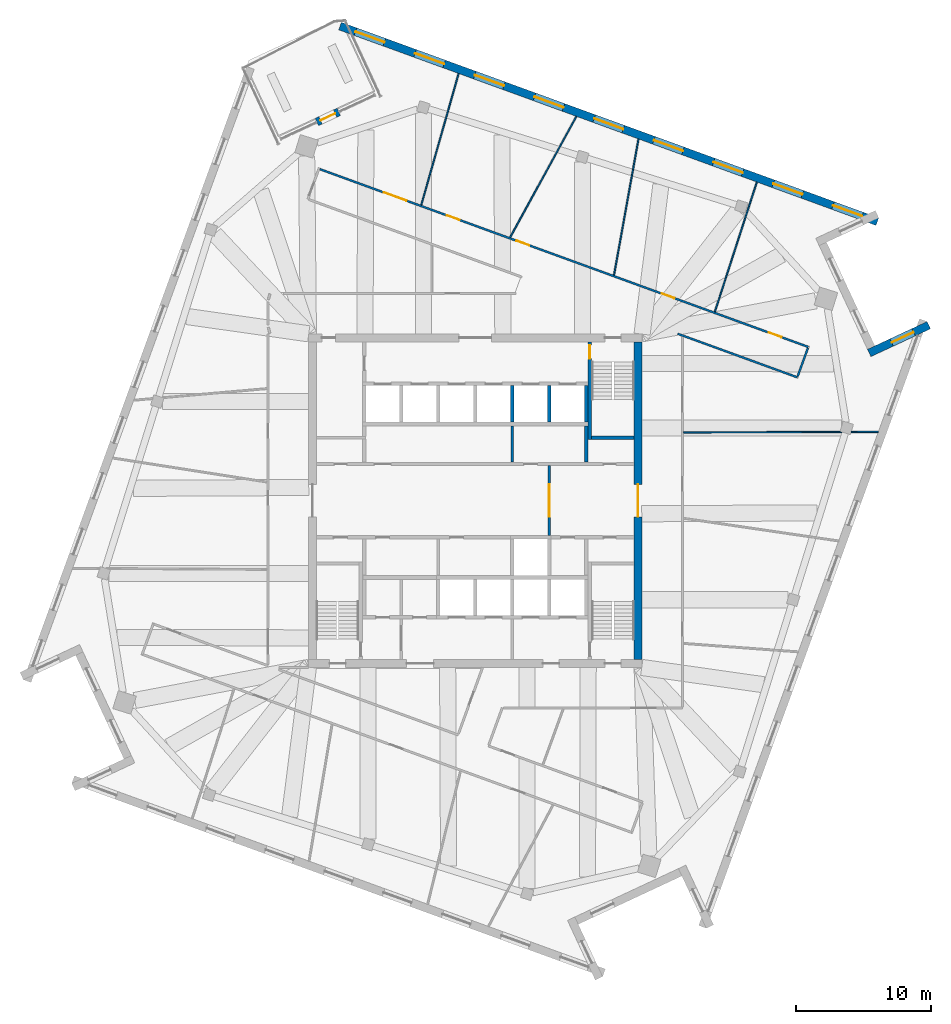
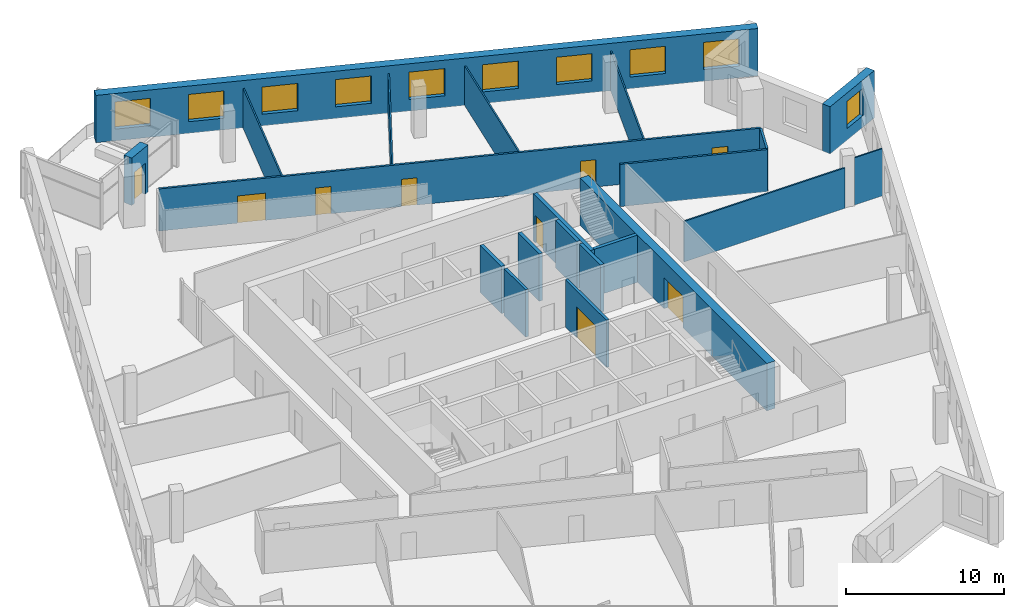
# One storey, part 10 of 13: 21 walls, 10 windows, 9 doors, 19 openings.
"""IFC4 building model written with IfcOpenShell, lengths in metres."""

from ifc_helpers import new_model, si_unit, direction, frame, frame_2d, origin, place, context, subcontext, project, spatial, rectangle, extrude, material, layer, layer_set, type_object, element, fill, save


model = new_model("IFC4")

# Units and contexts
model_context = context("Model", 3, precision=1e-05, world=origin(), true_north=direction((0.0, 1.0)))
body_context = subcontext(model_context, "Body", "Model", "MODEL_VIEW")
ifc_project = project(units=[si_unit("LENGTHUNIT", "METRE"), si_unit("AREAUNIT", "SQUARE_METRE"), si_unit("VOLUMEUNIT", "CUBIC_METRE"), si_unit("PLANEANGLEUNIT", "RADIAN"), si_unit("MASSUNIT", "GRAM", prefix="KILO")], contexts=[model_context])

# Site, building, storey
site_placement = place(None, origin())
site = spatial("IfcSite", under=ifc_project, at=site_placement, CompositionType="ELEMENT")
building_placement = place(site_placement, origin())
building = spatial("IfcBuilding", under=site, at=building_placement, Name="Dilmun Exchange Tower", CompositionType="ELEMENT")
storey_placement = place(building_placement, frame((0.0, 0.0, 312.5)))
storey = spatial("IfcBuildingStorey", under=building, at=storey_placement, Name="L74", CompositionType="ELEMENT", Elevation=312.5)

# Wall, opening, door
ifc_material_1 = material(Name="Concrete C40/50", Category="concrete")
ifc_layer_1 = layer(ifc_material_1, 0.199951171875)
ifc_layer_set_1 = layer_set([ifc_layer_1], Name="Concrete C40/50")
wall_type_1 = type_object("IfcWallType", Name="Core partition wall 200", PredefinedType="PARTITIONING", material=ifc_layer_set_1)
wall_1_placement = place(storey_placement, frame((5.5, -2.594970703125, 0.0), z_axis=(0.0, 0.0, 1.0), x_axis=(0.0, 1.0, 0.0)))
wall_1 = element("IfcWall", 1, at=wall_1_placement, inside=storey, type_object=wall_type_1, Name="L74 core partition wall 12", PredefinedType="PARTITIONING", context=body_context, shape_type="SweptSolid", body=[
    extrude(rectangle(XDim=5.18994140625, YDim=0.199951171875, at=frame_2d((2.594970703125, 0.0))), origin(), (0.0, 0.0, 1.0), 3.64990234375),
])
opening_1_placement = place(wall_1_placement, frame((1.39501953125, 0.0, 0.0)))
opening_1 = element("IfcOpeningElement", 2, at=opening_1_placement, cuts=wall_1, Name="Opening CD1", PredefinedType="OPENING", context=body_context, shape_type="SweptSolid", body=[
    extrude(rectangle(XDim=2.39990234375, YDim=2.39990234375, at=frame_2d((1.199951171875, 1.199951171875))), frame((0.0, 0.10986328125, 0.0), z_axis=(0.0, -1.0, 0.0), x_axis=(1.0, 0.0, 0.0)), (0.0, 0.0, 1.0), 0.219970703125),
])
ifc_material_2 = material(Name="Fire-rated steel door set", Category="steel")
door_type_1 = type_object("IfcDoorType", Name="Core lobby door 2400x2400", OperationType="DOUBLE_DOOR_DOUBLE_SWING", PredefinedType="DOOR", material=ifc_material_2)
door_1_placement = place(opening_1_placement, origin())
door_1 = element("IfcDoor", 3, at=door_1_placement, inside=storey, type_object=door_type_1, Name="L74 door Lift lobby east", OperationType="SINGLE_SWING_LEFT", OverallHeight=2.39990234375, OverallWidth=2.39990234375, PredefinedType="DOOR", context=body_context, shape_type="SweptSolid", body=[
    extrude(rectangle(XDim=2.39990234375, YDim=2.39990234375, at=frame_2d((1.199951171875, 1.199951171875))), frame((0.0, 0.02490234375, 0.0), z_axis=(0.0, -1.0, 0.0), x_axis=(1.0, 0.0, 0.0)), (0.0, 0.0, 1.0), 0.050048828125),
])
fill(opening_1, door_1)

# Walls
wall_2_placement = place(storey_placement, frame((2.75, 2.85498046875, 0.0), z_axis=(0.0, 0.0, 1.0), x_axis=(0.0, 1.0, 0.0)))
element("IfcWall", 4, at=wall_2_placement, inside=storey, type_object=wall_type_1, Name="L74 core partition wall 15", PredefinedType="PARTITIONING", context=body_context, shape_type="SweptSolid", body=[
    extrude(rectangle(XDim=2.68994140625, YDim=0.199951171875, at=frame_2d((1.344970703125, 0.0))), origin(), (0.0, 0.0, 1.0), 3.64990234375),
])
ifc_layer_2 = layer(ifc_material_1, 0.25)
ifc_layer_set_2 = layer_set([ifc_layer_2], Name="Concrete C40/50")
wall_type_2 = type_object("IfcWallType", Name="Core partition wall 250", PredefinedType="PARTITIONING", material=ifc_layer_set_2)
wall_3_placement = place(storey_placement, frame((8.25, 2.85498046875, 0.0), z_axis=(0.0, 0.0, 1.0), x_axis=(0.0, 1.0, 0.0)))
element("IfcWall", 5, at=wall_3_placement, inside=storey, type_object=wall_type_2, Name="L74 core partition wall 16", PredefinedType="PARTITIONING", context=body_context, shape_type="SweptSolid", body=[
    extrude(rectangle(XDim=2.68994140625, YDim=0.25, at=frame_2d((1.344970703125, 0.0))), origin(), (0.0, 0.0, 1.0), 3.64990234375),
])

# Wall, opening, door
ifc_material_3 = material(Name="Concrete C50/60", Category="concrete")
ifc_layer_3 = layer(ifc_material_3, 0.60009765625)
ifc_layer_set_3 = layer_set([ifc_layer_3], Name="Concrete C50/60")
wall_type_3 = type_object("IfcWallType", Name="Core shear wall 600 Concrete C50/60", PredefinedType="SHEAR", material=ifc_layer_set_3)
wall_4_placement = place(storey_placement, frame((12.10009765625, -11.800048828125, 0.0), z_axis=(0.0, 0.0, 1.0), x_axis=(0.0, 1.0, 0.0)))
wall_4 = element("IfcWall", 6, at=wall_4_placement, inside=storey, type_object=wall_type_3, Name="L74 core shear wall E", PredefinedType="SHEAR", context=body_context, shape_type="SweptSolid", body=[
    extrude(rectangle(XDim=23.60009765625, YDim=0.60009765625, at=frame_2d((11.800048828125, 0.0))), origin(), (0.0, 0.0, 1.0), 3.64990234375),
])
opening_2_placement = place(wall_4_placement, frame((10.60009765625, 0.0, 0.0)))
opening_2 = element("IfcOpeningElement", 7, at=opening_2_placement, cuts=wall_4, Name="Opening CD1", PredefinedType="OPENING", context=body_context, shape_type="SweptSolid", body=[
    extrude(rectangle(XDim=2.39990234375, YDim=2.39990234375, at=frame_2d((1.199951171875, 1.199951171875))), frame((0.0, 0.31005859375, 0.0), z_axis=(0.0, -1.0, 0.0), x_axis=(1.0, 0.0, 0.0)), (0.0, 0.0, 1.0), 0.6201171875),
])
door_2_placement = place(opening_2_placement, origin())
door_2 = element("IfcDoor", 8, at=door_2_placement, inside=storey, type_object=door_type_1, Name="L74 door Central lift lobby", OperationType="SINGLE_SWING_LEFT", OverallHeight=2.39990234375, OverallWidth=2.39990234375, PredefinedType="DOOR", context=body_context, shape_type="SweptSolid", body=[
    extrude(rectangle(XDim=2.39990234375, YDim=2.39990234375, at=frame_2d((1.199951171875, 1.199951171875))), frame((0.0, 0.02490234375, 0.0), z_axis=(0.0, -1.0, 0.0), x_axis=(1.0, 0.0, 0.0)), (0.0, 0.0, 1.0), 0.050048828125),
])
fill(opening_2, door_2)

# Wall, openings, doors
ifc_material_4 = material(Name="Corridor wall 150")
ifc_layer_4 = layer(ifc_material_4, 0.14990234375)
ifc_layer_set_4 = layer_set([ifc_layer_4], Name="Corridor wall 150")
wall_type_4 = type_object("IfcWallType", Name="Corridor wall 150", PredefinedType="PARTITIONING", material=ifc_layer_set_4)
wall_5_placement = place(storey_placement, frame((-11.548583984375, 24.63134765625, 0.0), z_axis=(0.0, 0.0, 1.0), x_axis=(0.939685979246, -0.342038390256, 0.0)))
wall_5 = element("IfcWall", 9, at=wall_5_placement, inside=storey, type_object=wall_type_4, Name="Corridor wall", PredefinedType="PARTITIONING", context=body_context, shape_type="SweptSolid", body=[
    extrude(rectangle(XDim=38.62841796875, YDim=0.14990234375, at=frame_2d((19.314208984375, 0.0))), origin(), (0.0, 0.0, 1.0), 3.25),
])
opening_3_placement = place(wall_5_placement, frame((5.050048828125, 0.0, 0.0)))
opening_3 = element("IfcOpeningElement", 10, at=opening_3_placement, cuts=wall_5, Name="Opening TF72-D06", PredefinedType="OPENING", context=body_context, shape_type="SweptSolid", body=[
    extrude(rectangle(XDim=1.800048828125, YDim=2.10009765625, at=frame_2d((0.89990234375, 1.050048828125))), frame((0.0, 0.0849609375, 0.0), z_axis=(0.0, -1.0, 0.0), x_axis=(1.0, 0.0, 0.0)), (0.0, 0.0, 1.0), 0.169921875),
])
opening_4_placement = place(wall_5_placement, frame((10.0458984375, 0.0, 0.0)))
opening_4 = element("IfcOpeningElement", 11, at=opening_4_placement, cuts=wall_5, Name="Opening TF72-D12", PredefinedType="OPENING", context=body_context, shape_type="SweptSolid", body=[
    extrude(rectangle(XDim=1.0, YDim=2.10009765625, at=frame_2d((0.5, 1.050048828125))), frame((0.0, 0.0849609375, 0.0), z_axis=(0.0, -1.0, 0.0), x_axis=(1.0, 0.0, 0.0)), (0.0, 0.0, 1.0), 0.169921875),
])
opening_5_placement = place(wall_5_placement, frame((15.560791015625, 0.0, 0.0)))
opening_5 = element("IfcOpeningElement", 12, at=opening_5_placement, cuts=wall_5, Name="Opening TF72-D14", PredefinedType="OPENING", context=body_context, shape_type="SweptSolid", body=[
    extrude(rectangle(XDim=1.0, YDim=2.10009765625, at=frame_2d((0.5, 1.050048828125))), frame((0.0, 0.0849609375, 0.0), z_axis=(0.0, -1.0, 0.0), x_axis=(1.0, 0.0, 0.0)), (0.0, 0.0, 1.0), 0.169921875),
])
opening_6_placement = place(wall_5_placement, frame((27.0419921875, 0.0, 0.0)))
opening_6 = element("IfcOpeningElement", 13, at=opening_6_placement, cuts=wall_5, Name="Opening TF72-D17", PredefinedType="OPENING", context=body_context, shape_type="SweptSolid", body=[
    extrude(rectangle(XDim=1.0, YDim=2.10009765625, at=frame_2d((0.5, 1.050048828125))), frame((0.0, 0.0849609375, 0.0), z_axis=(0.0, -1.0, 0.0), x_axis=(1.0, 0.0, 0.0)), (0.0, 0.0, 1.0), 0.169921875),
])
opening_7_placement = place(wall_5_placement, frame((35.506103515625, 0.0, 0.0)))
opening_7 = element("IfcOpeningElement", 14, at=opening_7_placement, cuts=wall_5, Name="Opening TF72-D21", PredefinedType="OPENING", context=body_context, shape_type="SweptSolid", body=[
    extrude(rectangle(XDim=1.0, YDim=2.10009765625, at=frame_2d((0.5, 1.050048828125))), frame((0.0, 0.0849609375, 0.0), z_axis=(0.0, -1.0, 0.0), x_axis=(1.0, 0.0, 0.0)), (0.0, 0.0, 1.0), 0.169921875),
])
ifc_material_5 = material(Name="Fire door 1000 x 2100")
door_type_2 = type_object("IfcDoorType", Name="Fire door 1000 x 2100", OperationType="NOTDEFINED", PredefinedType="DOOR", material=ifc_material_5)
door_3_placement = place(opening_4_placement, origin())
door_3 = element("IfcDoor", 15, at=door_3_placement, inside=storey, type_object=door_type_2, Name="Door TF72-D12", OperationType="SINGLE_SWING_LEFT", OverallHeight=2.10009765625, OverallWidth=1.0, PredefinedType="DOOR", context=body_context, shape_type="SweptSolid", body=[
    extrude(rectangle(XDim=1.0, YDim=2.10009765625, at=frame_2d((0.5, 1.050048828125))), frame((0.0, 0.02490234375, 0.0), z_axis=(0.0, -1.0, 0.0), x_axis=(1.0, 0.0, 0.0)), (0.0, 0.0, 1.0), 0.050048828125),
])
fill(opening_4, door_3)
door_4_placement = place(opening_5_placement, origin())
door_4 = element("IfcDoor", 16, at=door_4_placement, inside=storey, type_object=door_type_2, Name="Door TF72-D14", OperationType="SINGLE_SWING_RIGHT", OverallHeight=2.10009765625, OverallWidth=1.0, PredefinedType="DOOR", context=body_context, shape_type="SweptSolid", body=[
    extrude(rectangle(XDim=1.0, YDim=2.10009765625, at=frame_2d((0.5, 1.050048828125))), frame((0.0, 0.02490234375, 0.0), z_axis=(0.0, -1.0, 0.0), x_axis=(1.0, 0.0, 0.0)), (0.0, 0.0, 1.0), 0.050048828125),
])
fill(opening_5, door_4)
door_5_placement = place(opening_6_placement, origin())
door_5 = element("IfcDoor", 17, at=door_5_placement, inside=storey, type_object=door_type_2, Name="Door TF72-D17", OperationType="SINGLE_SWING_RIGHT", OverallHeight=2.10009765625, OverallWidth=1.0, PredefinedType="DOOR", context=body_context, shape_type="SweptSolid", body=[
    extrude(rectangle(XDim=1.0, YDim=2.10009765625, at=frame_2d((0.5, 1.050048828125))), frame((0.0, 0.02490234375, 0.0), z_axis=(0.0, -1.0, 0.0), x_axis=(1.0, 0.0, 0.0)), (0.0, 0.0, 1.0), 0.050048828125),
])
fill(opening_6, door_5)
door_6_placement = place(opening_7_placement, origin())
door_6 = element("IfcDoor", 18, at=door_6_placement, inside=storey, type_object=door_type_2, Name="Door TF72-D21", OperationType="SINGLE_SWING_LEFT", OverallHeight=2.10009765625, OverallWidth=1.0, PredefinedType="DOOR", context=body_context, shape_type="SweptSolid", body=[
    extrude(rectangle(XDim=1.0, YDim=2.10009765625, at=frame_2d((0.5, 1.050048828125))), frame((0.0, 0.02490234375, 0.0), z_axis=(0.0, -1.0, 0.0), x_axis=(1.0, 0.0, 0.0)), (0.0, 0.0, 1.0), 0.050048828125),
])
fill(opening_7, door_6)
ifc_material_6 = material(Name="Fire door pair 1800 x 2100")
door_type_3 = type_object("IfcDoorType", Name="Fire door pair 1800 x 2100", OperationType="NOTDEFINED", PredefinedType="DOOR", material=ifc_material_6)
door_7_placement = place(opening_3_placement, origin())
door_7 = element("IfcDoor", 19, at=door_7_placement, inside=storey, type_object=door_type_3, Name="Door TF72-D06", OperationType="DOUBLE_DOOR_SINGLE_SWING", OverallHeight=2.10009765625, OverallWidth=1.800048828125, PredefinedType="DOOR", context=body_context, shape_type="SweptSolid", body=[
    extrude(rectangle(XDim=1.800048828125, YDim=2.10009765625, at=frame_2d((0.89990234375, 1.050048828125))), frame((0.0, 0.02490234375, 0.0), z_axis=(0.0, -1.0, 0.0), x_axis=(1.0, 0.0, 0.0)), (0.0, 0.0, 1.0), 0.050048828125),
])
fill(opening_3, door_7)

# Walls
wall_6_placement = place(storey_placement, frame((15.0400390625, 12.39990234375, 0.0), z_axis=(0.0, 0.0, 1.0), x_axis=(0.939674306664, -0.34207045677, 0.0)))
element("IfcWall", 20, at=wall_6_placement, inside=storey, type_object=wall_type_4, Name="Corridor wall", PredefinedType="PARTITIONING", context=body_context, shape_type="SweptSolid", body=[
    extrude(rectangle(XDim=9.45947265625, YDim=0.14990234375, at=frame_2d((4.729736328125, 0.0))), origin(), (0.0, 0.0, 1.0), 3.25),
])
wall_7_placement = place(storey_placement, frame((23.95458984375, 9.234619140625, 0.0), z_axis=(0.0, 0.0, 1.0), x_axis=(0.342187433401, 0.939631715313, 0.0)))
element("IfcWall", 21, at=wall_7_placement, inside=storey, type_object=wall_type_4, Name="Corridor wall", PredefinedType="PARTITIONING", context=body_context, shape_type="SweptSolid", body=[
    extrude(rectangle(XDim=2.24951171875, YDim=0.14990234375, at=frame_2d((1.124755859375, 0.0))), origin(), (0.0, 0.0, 1.0), 3.25),
])
ifc_layer_5 = layer(ifc_material_1, 0.25)
ifc_layer_set_5 = layer_set([ifc_layer_5], Name="Concrete C40/50")
wall_type_5 = type_object("IfcWallType", Name="Lift shaft wall 250", PredefinedType="SOLIDWALL", material=ifc_layer_set_5)
for number, where, z_axis, x_axis, name in (
    (22, (2.75, 5.85009765625, 0.0), (0.0, 0.0, 1.0), (0.0, 1.0, 0.0), "L74 lift shaft divider N24"),
    (23, (5.5, 5.85009765625, 0.0), (0.0, 0.0, 1.0), (0.0, 1.0, 0.0), "L74 lift shaft divider N25"),
    (24, (8.25, 5.85009765625, 0.0), (0.0, 0.0, 1.0), (0.0, 1.0, 0.0), "L74 lift shaft divider N26"),
):
    element("IfcWall", number, at=place(storey_placement, frame(where, z_axis=z_axis, x_axis=x_axis)), inside=storey, type_object=wall_type_5, Name=name, PredefinedType="SOLIDWALL", context=body_context, shape_type="SweptSolid", body=[
        extrude(rectangle(XDim=2.699951171875, YDim=0.25, at=frame_2d((1.35009765625, 0.0))), origin(), (0.0, 0.0, 1.0), 3.64990234375),
    ])
ifc_material_7 = material(Name="Partition 100")
ifc_layer_6 = layer(ifc_material_7, 0.10009765625)
ifc_layer_set_6 = layer_set([ifc_layer_6], Name="Partition 100")
wall_type_6 = type_object("IfcWallType", Name="Partition 100", PredefinedType="PARTITIONING", material=ifc_layer_set_6)
wall_8_placement = place(storey_placement, frame((-4.010498046875, 21.970703125, 0.0), z_axis=(0.0, 0.0, 1.0), x_axis=(0.273351697038, 0.96191415923, 0.0)))
element("IfcWall", 25, at=wall_8_placement, inside=storey, type_object=wall_type_6, Name="Partition", PredefinedType="PARTITIONING", context=body_context, shape_type="SweptSolid", body=[
    extrude(rectangle(XDim=10.150390625, YDim=0.10009765625, at=frame_2d((5.0751953125, 0.0))), origin(), (0.0, 0.0, 1.0), 3.050048828125),
])
wall_9_placement = place(storey_placement, frame((2.59716796875, 19.5703125, 0.0), z_axis=(0.0, 0.0, 1.0), x_axis=(0.480064743051, 0.877233060526, 0.0)))
element("IfcWall", 26, at=wall_9_placement, inside=storey, type_object=wall_type_6, Name="Partition", PredefinedType="PARTITIONING", context=body_context, shape_type="SweptSolid", body=[
    extrude(rectangle(XDim=10.2373046875, YDim=0.10009765625, at=frame_2d((5.11865234375, 0.0))), origin(), (0.0, 0.0, 1.0), 3.050048828125),
])
wall_10_placement = place(storey_placement, frame((10.31298828125, 16.762451171875, 0.0), z_axis=(0.0, 0.0, 1.0), x_axis=(0.176922718916, 0.984224746454, 0.0)))
element("IfcWall", 27, at=wall_10_placement, inside=storey, type_object=wall_type_6, Name="Partition", PredefinedType="PARTITIONING", context=body_context, shape_type="SweptSolid", body=[
    extrude(rectangle(XDim=10.26953125, YDim=0.10009765625, at=frame_2d((5.134765625, 0.0))), origin(), (0.0, 0.0, 1.0), 3.050048828125),
])
wall_11_placement = place(storey_placement, frame((15.47509765625, 5.069091796875, 0.0), z_axis=(0.0, 0.0, 1.0), x_axis=(0.999996133827, 0.00278070684, 0.0)))
element("IfcWall", 28, at=wall_11_placement, inside=storey, type_object=wall_type_6, Name="Partition", PredefinedType="PARTITIONING", context=body_context, shape_type="SweptSolid", body=[
    extrude(rectangle(XDim=11.764892578125, YDim=0.10009765625, at=frame_2d((5.88232421875, 0.0))), origin(), (0.0, 0.0, 1.0), 3.1298828125),
])
wall_12_placement = place(storey_placement, frame((17.80078125, 14.030029296875, 0.0), z_axis=(0.0, 0.0, 1.0), x_axis=(0.308373882016, 0.951265235826, 0.0)))
element("IfcWall", 29, at=wall_12_placement, inside=storey, type_object=wall_type_6, Name="Partition", PredefinedType="PARTITIONING", context=body_context, shape_type="SweptSolid", body=[
    extrude(rectangle(XDim=10.13232421875, YDim=0.10009765625, at=frame_2d((5.066162109375, 0.0))), origin(), (0.0, 0.0, 1.0), 3.050048828125),
])
wall_13_placement = place(storey_placement, frame((27.932861328125, 5.103515625, 0.0), z_axis=(0.0, 0.0, 1.0), x_axis=(0.999996132662, 0.002781125883, 0.0)))
element("IfcWall", 30, at=wall_13_placement, inside=storey, type_object=wall_type_6, Name="Partition", PredefinedType="PARTITIONING", context=body_context, shape_type="SweptSolid", body=[
    extrude(rectangle(XDim=2.01904296875, YDim=0.10009765625, at=frame_2d((1.009521484375, 0.0))), origin(), (0.0, 0.0, 1.0), 3.64990234375),
])

# Wall, opening, window
ifc_material_8 = material(Name="Precast concrete C50/60", Category="concrete")
ifc_layer_7 = layer(ifc_material_8, 0.60009765625)
ifc_layer_set_7 = layer_set([ifc_layer_7], Name="Precast concrete C50/60")
wall_type_7 = type_object("IfcWallType", Name="Precast stone-clad wall 600", PredefinedType="STANDARD", material=ifc_layer_set_7)
wall_14_placement = place(storey_placement, frame((33.703369140625, 13.036376953125, 0.0), z_axis=(0.0, 0.0, 1.0), x_axis=(-0.906306938878, -0.422620080618, 0.0)))
wall_14 = element("IfcWall", 31, at=wall_14_placement, inside=storey, type_object=wall_type_7, Name="Facade wall L74-12", PredefinedType="STANDARD", context=body_context, shape_type="SweptSolid", body=[
    extrude(rectangle(XDim=4.885498046875, YDim=0.60009765625, at=frame_2d((2.44287109375, 0.0))), origin(), (0.0, 0.0, 1.0), 3.64990234375),
])
opening_8_placement = place(wall_14_placement, frame((1.242919921875, 0.0, 0.89990234375)))
opening_8 = element("IfcOpeningElement", 32, at=opening_8_placement, cuts=wall_14, Name="Opening W180-210", PredefinedType="OPENING", context=body_context, shape_type="SweptSolid", body=[
    extrude(rectangle(XDim=1.800048828125, YDim=2.10009765625, at=frame_2d((0.89990234375, 1.050048828125))), frame((0.0, 0.31005859375, 0.0), z_axis=(0.0, -1.0, 0.0), x_axis=(1.0, 0.0, 0.0)), (0.0, 0.0, 1.0), 0.6201171875),
])
ifc_material_9 = material(Name="Clear low-emissivity glass in aluminium frame", Category="aluminium")
window_type_1 = type_object("IfcWindowType", Name="Punched window 1800 x 2100", PartitioningType="DOUBLE_PANEL_VERTICAL", PredefinedType="WINDOW", material=ifc_material_9)
window_1_placement = place(opening_8_placement, origin())
window_1 = element("IfcWindow", 33, at=window_1_placement, inside=storey, type_object=window_type_1, Name="Window 13.1", OverallHeight=2.10009765625, OverallWidth=1.800048828125, PartitioningType="SINGLE_PANEL", PredefinedType="WINDOW", context=body_context, shape_type="SweptSolid", body=[
    extrude(rectangle(XDim=1.800048828125, YDim=2.10009765625, at=frame_2d((0.89990234375, 1.050048828125))), frame((0.0, 0.030029296875, 0.0), z_axis=(0.0, -1.0, 0.0), x_axis=(1.0, 0.0, 0.0)), (0.0, 0.0, 1.0), 0.06005859375),
])
fill(opening_8, window_1)

# Wall, openings, windows
wall_15_placement = place(storey_placement, frame((29.8818359375, 20.72998046875, 0.0), z_axis=(0.0, 0.0, 1.0), x_axis=(-0.939693396491, 0.342018012087, 0.0)))
wall_15 = element("IfcWall", 34, at=wall_15_placement, inside=storey, type_object=wall_type_7, Name="Facade wall L74-15", PredefinedType="STANDARD", context=body_context, shape_type="SweptSolid", body=[
    extrude(rectangle(XDim=42.48974609375, YDim=0.60009765625, at=frame_2d((21.244873046875, 0.0))), origin(), (0.0, 0.0, 1.0), 3.64990234375),
])
opening_9_placement = place(wall_15_placement, frame((1.21044921875, 0.0, 0.89990234375)))
opening_9 = element("IfcOpeningElement", 35, at=opening_9_placement, cuts=wall_15, Name="Opening W230-210", PredefinedType="OPENING", context=body_context, shape_type="SweptSolid", body=[
    extrude(rectangle(XDim=2.300048828125, YDim=2.10009765625, at=frame_2d((1.14990234375, 1.050048828125))), frame((0.0, 0.31005859375, 0.0), z_axis=(0.0, -1.0, 0.0), x_axis=(1.0, 0.0, 0.0)), (0.0, 0.0, 1.0), 0.6201171875),
])
opening_10_placement = place(wall_15_placement, frame((5.931640625, 0.0, 0.89990234375)))
opening_10 = element("IfcOpeningElement", 36, at=opening_10_placement, cuts=wall_15, Name="Opening W230-210", PredefinedType="OPENING", context=body_context, shape_type="SweptSolid", body=[
    extrude(rectangle(XDim=2.300048828125, YDim=2.10009765625, at=frame_2d((1.14990234375, 1.050048828125))), frame((0.0, 0.31005859375, 0.0), z_axis=(0.0, -1.0, 0.0), x_axis=(1.0, 0.0, 0.0)), (0.0, 0.0, 1.0), 0.6201171875),
])
opening_11_placement = place(wall_15_placement, frame((10.652587890625, 0.0, 0.89990234375)))
opening_11 = element("IfcOpeningElement", 37, at=opening_11_placement, cuts=wall_15, Name="Opening W230-210", PredefinedType="OPENING", context=body_context, shape_type="SweptSolid", body=[
    extrude(rectangle(XDim=2.300048828125, YDim=2.10009765625, at=frame_2d((1.14990234375, 1.050048828125))), frame((0.0, 0.31005859375, 0.0), z_axis=(0.0, -1.0, 0.0), x_axis=(1.0, 0.0, 0.0)), (0.0, 0.0, 1.0), 0.6201171875),
])
opening_12_placement = place(wall_15_placement, frame((15.373779296875, 0.0, 0.89990234375)))
opening_12 = element("IfcOpeningElement", 38, at=opening_12_placement, cuts=wall_15, Name="Opening W230-210", PredefinedType="OPENING", context=body_context, shape_type="SweptSolid", body=[
    extrude(rectangle(XDim=2.300048828125, YDim=2.10009765625, at=frame_2d((1.14990234375, 1.050048828125))), frame((0.0, 0.31005859375, 0.0), z_axis=(0.0, -1.0, 0.0), x_axis=(1.0, 0.0, 0.0)), (0.0, 0.0, 1.0), 0.6201171875),
])
opening_13_placement = place(wall_15_placement, frame((20.0947265625, 0.0, 0.89990234375)))
opening_13 = element("IfcOpeningElement", 39, at=opening_13_placement, cuts=wall_15, Name="Opening W230-210", PredefinedType="OPENING", context=body_context, shape_type="SweptSolid", body=[
    extrude(rectangle(XDim=2.300048828125, YDim=2.10009765625, at=frame_2d((1.14990234375, 1.050048828125))), frame((0.0, 0.31005859375, 0.0), z_axis=(0.0, -1.0, 0.0), x_axis=(1.0, 0.0, 0.0)), (0.0, 0.0, 1.0), 0.6201171875),
])
opening_14_placement = place(wall_15_placement, frame((24.81591796875, 0.0, 0.89990234375)))
opening_14 = element("IfcOpeningElement", 40, at=opening_14_placement, cuts=wall_15, Name="Opening W230-210", PredefinedType="OPENING", context=body_context, shape_type="SweptSolid", body=[
    extrude(rectangle(XDim=2.300048828125, YDim=2.10009765625, at=frame_2d((1.14990234375, 1.050048828125))), frame((0.0, 0.31005859375, 0.0), z_axis=(0.0, -1.0, 0.0), x_axis=(1.0, 0.0, 0.0)), (0.0, 0.0, 1.0), 0.6201171875),
])
opening_15_placement = place(wall_15_placement, frame((29.536865234375, 0.0, 0.89990234375)))
opening_15 = element("IfcOpeningElement", 41, at=opening_15_placement, cuts=wall_15, Name="Opening W230-210", PredefinedType="OPENING", context=body_context, shape_type="SweptSolid", body=[
    extrude(rectangle(XDim=2.300048828125, YDim=2.10009765625, at=frame_2d((1.14990234375, 1.050048828125))), frame((0.0, 0.31005859375, 0.0), z_axis=(0.0, -1.0, 0.0), x_axis=(1.0, 0.0, 0.0)), (0.0, 0.0, 1.0), 0.6201171875),
])
opening_16_placement = place(wall_15_placement, frame((34.258056640625, 0.0, 0.89990234375)))
opening_16 = element("IfcOpeningElement", 42, at=opening_16_placement, cuts=wall_15, Name="Opening W230-210", PredefinedType="OPENING", context=body_context, shape_type="SweptSolid", body=[
    extrude(rectangle(XDim=2.300048828125, YDim=2.10009765625, at=frame_2d((1.14990234375, 1.050048828125))), frame((0.0, 0.31005859375, 0.0), z_axis=(0.0, -1.0, 0.0), x_axis=(1.0, 0.0, 0.0)), (0.0, 0.0, 1.0), 0.6201171875),
])
opening_17_placement = place(wall_15_placement, frame((38.97900390625, 0.0, 0.89990234375)))
opening_17 = element("IfcOpeningElement", 43, at=opening_17_placement, cuts=wall_15, Name="Opening W230-210", PredefinedType="OPENING", context=body_context, shape_type="SweptSolid", body=[
    extrude(rectangle(XDim=2.300048828125, YDim=2.10009765625, at=frame_2d((1.14990234375, 1.050048828125))), frame((0.0, 0.31005859375, 0.0), z_axis=(0.0, -1.0, 0.0), x_axis=(1.0, 0.0, 0.0)), (0.0, 0.0, 1.0), 0.6201171875),
])
window_type_2 = type_object("IfcWindowType", Name="Punched window 2300 x 2100", PartitioningType="DOUBLE_PANEL_VERTICAL", PredefinedType="WINDOW", material=ifc_material_9)
window_2_placement = place(opening_9_placement, origin())
window_2 = element("IfcWindow", 44, at=window_2_placement, inside=storey, type_object=window_type_2, Name="Window 16.1", OverallHeight=2.10009765625, OverallWidth=2.300048828125, PartitioningType="SINGLE_PANEL", PredefinedType="WINDOW", context=body_context, shape_type="SweptSolid", body=[
    extrude(rectangle(XDim=2.300048828125, YDim=2.10009765625, at=frame_2d((1.14990234375, 1.050048828125))), frame((0.0, 0.030029296875, 0.0), z_axis=(0.0, -1.0, 0.0), x_axis=(1.0, 0.0, 0.0)), (0.0, 0.0, 1.0), 0.06005859375),
])
fill(opening_9, window_2)
window_3_placement = place(opening_10_placement, origin())
window_3 = element("IfcWindow", 45, at=window_3_placement, inside=storey, type_object=window_type_2, Name="Window 16.2", OverallHeight=2.10009765625, OverallWidth=2.300048828125, PartitioningType="SINGLE_PANEL", PredefinedType="WINDOW", context=body_context, shape_type="SweptSolid", body=[
    extrude(rectangle(XDim=2.300048828125, YDim=2.10009765625, at=frame_2d((1.14990234375, 1.050048828125))), frame((0.0, 0.030029296875, 0.0), z_axis=(0.0, -1.0, 0.0), x_axis=(1.0, 0.0, 0.0)), (0.0, 0.0, 1.0), 0.06005859375),
])
fill(opening_10, window_3)
window_4_placement = place(opening_11_placement, origin())
window_4 = element("IfcWindow", 46, at=window_4_placement, inside=storey, type_object=window_type_2, Name="Window 16.3", OverallHeight=2.10009765625, OverallWidth=2.300048828125, PartitioningType="SINGLE_PANEL", PredefinedType="WINDOW", context=body_context, shape_type="SweptSolid", body=[
    extrude(rectangle(XDim=2.300048828125, YDim=2.10009765625, at=frame_2d((1.14990234375, 1.050048828125))), frame((0.0, 0.030029296875, 0.0), z_axis=(0.0, -1.0, 0.0), x_axis=(1.0, 0.0, 0.0)), (0.0, 0.0, 1.0), 0.06005859375),
])
fill(opening_11, window_4)
window_5_placement = place(opening_12_placement, origin())
window_5 = element("IfcWindow", 47, at=window_5_placement, inside=storey, type_object=window_type_2, Name="Window 16.4", OverallHeight=2.10009765625, OverallWidth=2.300048828125, PartitioningType="SINGLE_PANEL", PredefinedType="WINDOW", context=body_context, shape_type="SweptSolid", body=[
    extrude(rectangle(XDim=2.300048828125, YDim=2.10009765625, at=frame_2d((1.14990234375, 1.050048828125))), frame((0.0, 0.030029296875, 0.0), z_axis=(0.0, -1.0, 0.0), x_axis=(1.0, 0.0, 0.0)), (0.0, 0.0, 1.0), 0.06005859375),
])
fill(opening_12, window_5)
window_6_placement = place(opening_13_placement, origin())
window_6 = element("IfcWindow", 48, at=window_6_placement, inside=storey, type_object=window_type_2, Name="Window 16.5", OverallHeight=2.10009765625, OverallWidth=2.300048828125, PartitioningType="SINGLE_PANEL", PredefinedType="WINDOW", context=body_context, shape_type="SweptSolid", body=[
    extrude(rectangle(XDim=2.300048828125, YDim=2.10009765625, at=frame_2d((1.14990234375, 1.050048828125))), frame((0.0, 0.030029296875, 0.0), z_axis=(0.0, -1.0, 0.0), x_axis=(1.0, 0.0, 0.0)), (0.0, 0.0, 1.0), 0.06005859375),
])
fill(opening_13, window_6)
window_7_placement = place(opening_14_placement, origin())
window_7 = element("IfcWindow", 49, at=window_7_placement, inside=storey, type_object=window_type_2, Name="Window 16.6", OverallHeight=2.10009765625, OverallWidth=2.300048828125, PartitioningType="SINGLE_PANEL", PredefinedType="WINDOW", context=body_context, shape_type="SweptSolid", body=[
    extrude(rectangle(XDim=2.300048828125, YDim=2.10009765625, at=frame_2d((1.14990234375, 1.050048828125))), frame((0.0, 0.030029296875, 0.0), z_axis=(0.0, -1.0, 0.0), x_axis=(1.0, 0.0, 0.0)), (0.0, 0.0, 1.0), 0.06005859375),
])
fill(opening_14, window_7)
window_8_placement = place(opening_15_placement, origin())
window_8 = element("IfcWindow", 50, at=window_8_placement, inside=storey, type_object=window_type_2, Name="Window 16.7", OverallHeight=2.10009765625, OverallWidth=2.300048828125, PartitioningType="SINGLE_PANEL", PredefinedType="WINDOW", context=body_context, shape_type="SweptSolid", body=[
    extrude(rectangle(XDim=2.300048828125, YDim=2.10009765625, at=frame_2d((1.14990234375, 1.050048828125))), frame((0.0, 0.030029296875, 0.0), z_axis=(0.0, -1.0, 0.0), x_axis=(1.0, 0.0, 0.0)), (0.0, 0.0, 1.0), 0.06005859375),
])
fill(opening_15, window_8)
window_9_placement = place(opening_16_placement, origin())
window_9 = element("IfcWindow", 51, at=window_9_placement, inside=storey, type_object=window_type_2, Name="Window 16.8", OverallHeight=2.10009765625, OverallWidth=2.300048828125, PartitioningType="SINGLE_PANEL", PredefinedType="WINDOW", context=body_context, shape_type="SweptSolid", body=[
    extrude(rectangle(XDim=2.300048828125, YDim=2.10009765625, at=frame_2d((1.14990234375, 1.050048828125))), frame((0.0, 0.030029296875, 0.0), z_axis=(0.0, -1.0, 0.0), x_axis=(1.0, 0.0, 0.0)), (0.0, 0.0, 1.0), 0.06005859375),
])
fill(opening_16, window_9)
window_10_placement = place(opening_17_placement, origin())
window_10 = element("IfcWindow", 52, at=window_10_placement, inside=storey, type_object=window_type_2, Name="Window 16.9", OverallHeight=2.10009765625, OverallWidth=2.300048828125, PartitioningType="SINGLE_PANEL", PredefinedType="WINDOW", context=body_context, shape_type="SweptSolid", body=[
    extrude(rectangle(XDim=2.300048828125, YDim=2.10009765625, at=frame_2d((1.14990234375, 1.050048828125))), frame((0.0, 0.030029296875, 0.0), z_axis=(0.0, -1.0, 0.0), x_axis=(1.0, 0.0, 0.0)), (0.0, 0.0, 1.0), 0.06005859375),
])
fill(opening_17, window_10)

# Wall, opening, door
wall_16_placement = place(storey_placement, frame((-10.138671875, 28.8916015625, 0.0), z_axis=(0.0, 0.0, 1.0), x_axis=(-0.906300917592, -0.422632992999, 0.0)))
wall_16 = element("IfcWall", 53, at=wall_16_placement, inside=storey, type_object=wall_type_7, Name="Facade wall L74-01-D", PredefinedType="STANDARD", context=body_context, shape_type="SweptSolid", body=[
    extrude(rectangle(XDim=1.800048828125, YDim=0.60009765625, at=frame_2d((0.89990234375, 0.0))), origin(), (0.0, 0.0, 1.0), 3.64990234375),
])
opening_18_placement = place(wall_16_placement, frame((0.300048828125, 0.0, 0.0)))
opening_18 = element("IfcOpeningElement", 54, at=opening_18_placement, cuts=wall_16, Name="Opening GD-1", PredefinedType="OPENING", context=body_context, shape_type="SweptSolid", body=[
    extrude(rectangle(XDim=1.199951171875, YDim=2.39990234375, at=frame_2d((0.60009765625, 1.199951171875))), frame((0.0, 0.31005859375, 0.0), z_axis=(0.0, -1.0, 0.0), x_axis=(1.0, 0.0, 0.0)), (0.0, 0.0, 1.0), 0.6201171875),
])
door_type_4 = type_object("IfcDoorType", Name="Glazed garden door 1200 x 2400", OperationType="SINGLE_SWING_LEFT", PredefinedType="DOOR", material=ifc_material_9)
door_8_placement = place(opening_18_placement, origin())
door_8 = element("IfcDoor", 55, at=door_8_placement, inside=storey, type_object=door_type_4, Name="Garden terrace door", OperationType="SINGLE_SWING_LEFT", OverallHeight=2.39990234375, OverallWidth=1.199951171875, PredefinedType="DOOR", context=body_context, shape_type="SweptSolid", body=[
    extrude(rectangle(XDim=1.199951171875, YDim=2.39990234375, at=frame_2d((0.60009765625, 1.199951171875))), frame((0.0, 0.02490234375, 0.0), z_axis=(0.0, -1.0, 0.0), x_axis=(1.0, 0.0, 0.0)), (0.0, 0.0, 1.0), 0.050048828125),
])
fill(opening_18, door_8)

# Wall
ifc_layer_8 = layer(ifc_material_1, 0.25)
ifc_layer_set_8 = layer_set([ifc_layer_8], Name="Concrete C40/50")
wall_type_8 = type_object("IfcWallType", Name="Stair end wall 250", PredefinedType="SOLIDWALL", material=ifc_layer_set_8)
wall_17_placement = place(storey_placement, frame((8.64990234375, 4.675048828125, 0.0), z_axis=(0.0, 0.0, 1.0), x_axis=(1.0, 0.0, 0.0)))
element("IfcWall", 56, at=wall_17_placement, inside=storey, type_object=wall_type_8, Name="L74 ST1 far wall", PredefinedType="SOLIDWALL", context=body_context, shape_type="SweptSolid", body=[
    extrude(rectangle(XDim=3.150146484375, YDim=0.25, at=frame_2d((1.5751953125, 0.0))), origin(), (0.0, 0.0, 1.0), 3.64990234375),
])

# Wall, opening, door
ifc_layer_9 = layer(ifc_material_1, 0.27490234375)
ifc_layer_set_9 = layer_set([ifc_layer_9], Name="Concrete C40/50")
wall_type_9 = type_object("IfcWallType", Name="Stair wall 275", PredefinedType="SOLIDWALL", material=ifc_layer_set_9)
wall_18_placement = place(storey_placement, frame((8.512451171875, 4.550048828125, 0.0), z_axis=(0.0, 0.0, 1.0), x_axis=(0.0, 1.0, 0.0)))
wall_18 = element("IfcWall", 57, at=wall_18_placement, inside=storey, type_object=wall_type_9, Name="L74 ST1 wall to lift block", PredefinedType="SOLIDWALL", context=body_context, shape_type="SweptSolid", body=[
    extrude(rectangle(XDim=7.25, YDim=0.27490234375, at=frame_2d((3.625, 0.0))), origin(), (0.0, 0.0, 1.0), 3.64990234375),
])
opening_19_placement = place(wall_18_placement, frame((6.0, 0.0, 0.0)))
opening_19 = element("IfcOpeningElement", 58, at=opening_19_placement, cuts=wall_18, Name="Opening CD4", PredefinedType="OPENING", context=body_context, shape_type="SweptSolid", body=[
    extrude(rectangle(XDim=1.0, YDim=2.10009765625, at=frame_2d((0.5, 1.050048828125))), frame((0.0, 0.1474609375, 0.0), z_axis=(0.0, -1.0, 0.0), x_axis=(1.0, 0.0, 0.0)), (0.0, 0.0, 1.0), 0.294921875),
])
door_type_5 = type_object("IfcDoorType", Name="Core room door 1000x2100", OperationType="SINGLE_SWING_LEFT", PredefinedType="DOOR", material=ifc_material_2)
door_9_placement = place(opening_19_placement, origin())
door_9 = element("IfcDoor", 59, at=door_9_placement, inside=storey, type_object=door_type_5, Name="L74 door ST1 from lobby", OperationType="SINGLE_SWING_LEFT", OverallHeight=2.10009765625, OverallWidth=1.0, PredefinedType="DOOR", context=body_context, shape_type="SweptSolid", body=[
    extrude(rectangle(XDim=1.0, YDim=2.10009765625, at=frame_2d((0.5, 1.050048828125))), frame((0.0, 0.02490234375, 0.0), z_axis=(0.0, -1.0, 0.0), x_axis=(1.0, 0.0, 0.0)), (0.0, 0.0, 1.0), 0.050048828125),
])
fill(opening_19, door_9)

save(model, "model.ifc")
